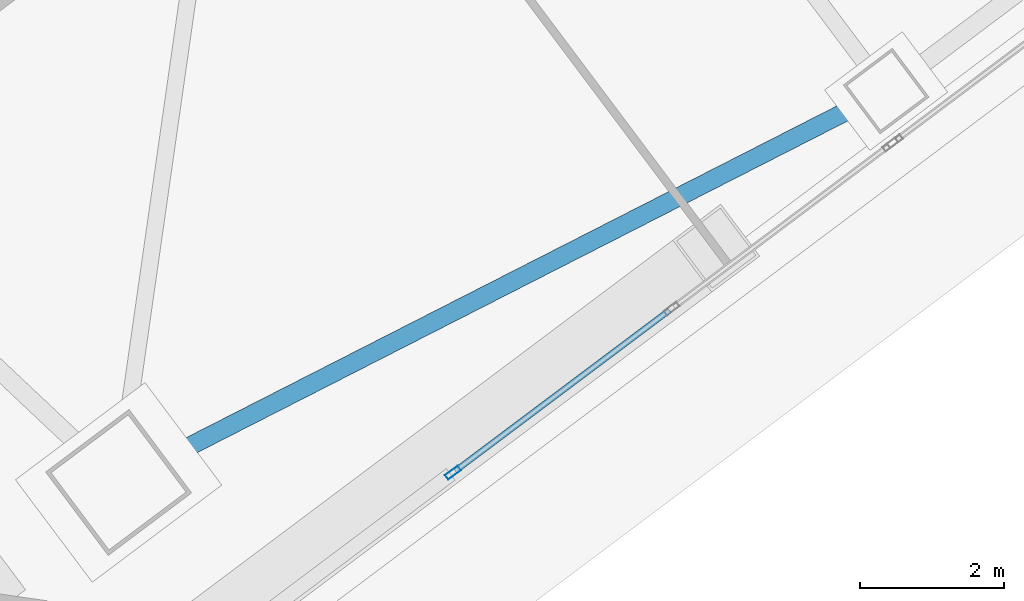
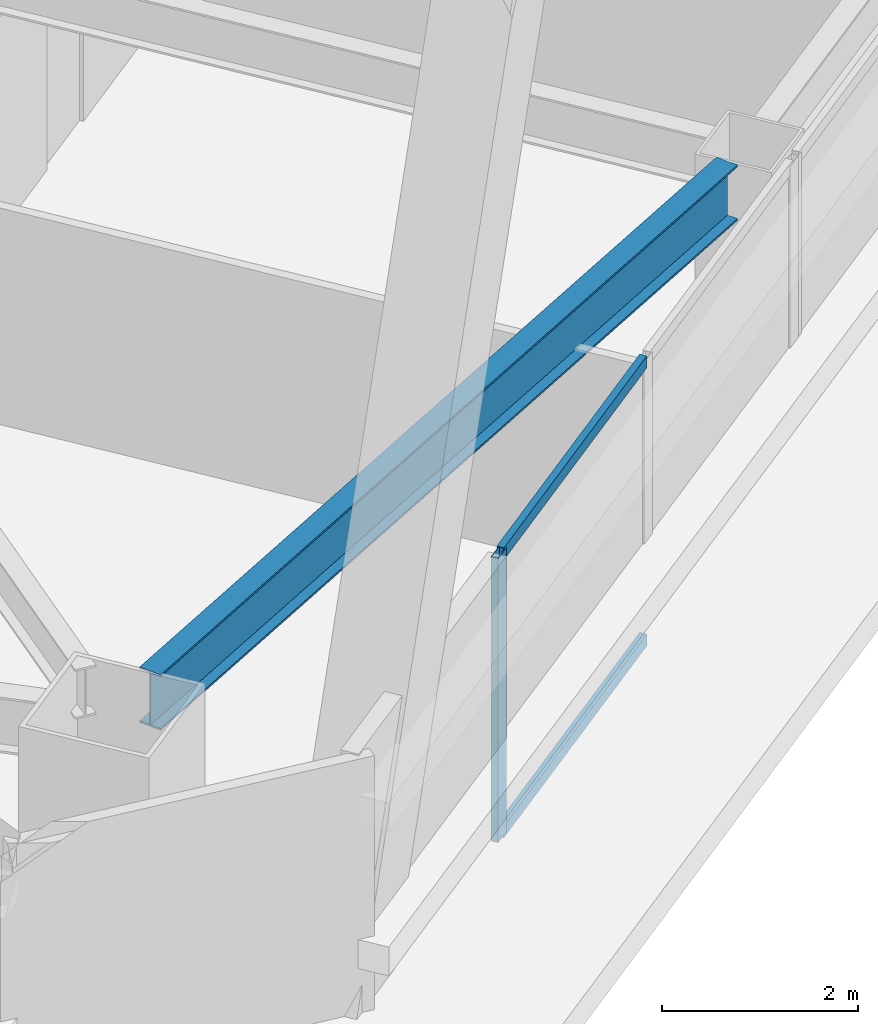
# One storey, part 33 of 67: 3 members, 1 beam, 1 element without a shape of its own.
"""IFC4 building model written with IfcOpenShell, lengths in metres."""

from ifc_helpers import new_model, si_unit, direction, frame, origin, origin_2d, place, context, subcontext, project, spatial, hollow_rectangle, i_section, extrude, material, material_profile, profile_set, type_object, element, aggregate, save


model = new_model("IFC4")

# Units and contexts
model_context = context("Model", 3, precision=1e-05, world=origin(), true_north=direction((0.0, 1.0)))
body_context = subcontext(model_context, "Body", "Model", "MODEL_VIEW")
ifc_project = project(units=[si_unit("LENGTHUNIT", "METRE"), si_unit("AREAUNIT", "SQUARE_METRE"), si_unit("VOLUMEUNIT", "CUBIC_METRE"), si_unit("PLANEANGLEUNIT", "RADIAN"), si_unit("MASSUNIT", "GRAM", prefix="KILO")], contexts=[model_context])

# Site, building, storey
site_placement = place(None, origin())
site = spatial("IfcSite", under=ifc_project, at=site_placement, CompositionType="ELEMENT")
building_placement = place(site_placement, origin())
building = spatial("IfcBuilding", under=site, at=building_placement, Name="Tashvorn Skyway Center", CompositionType="ELEMENT")
storey_placement = place(building_placement, frame((0.0, 0.0, 67.199951171875)))
storey = spatial("IfcBuildingStorey", under=building, at=storey_placement, Name="L17", CompositionType="ELEMENT", Elevation=67.199951171875)

# Beam
ifc_material_1 = material(Name="Steel ASTM A992 Grade 50", Category="steel")
ifc_material_profile_1 = material_profile(ifc_material_1, i_section(OverallWidth=0.256103515625, OverallDepth=0.693115234375, WebThickness=0.014404296875, FlangeThickness=0.023681640625, at=origin_2d()), Name="W27X114")
ifc_profile_set_1 = profile_set([ifc_material_profile_1], Name="Steel ASTM A992 Grade 50")
beam_type = type_object("IfcBeamType", Name="BM-SPANDREL-W27X114", PredefinedType="SPANDREL", material=ifc_profile_set_1)
beam_placement = place(storey_placement, frame((111.201416015625, 8.2470703125, 3.003662109375), z_axis=(0.890894170442, 0.454210938961, 0.0), x_axis=(-0.454210938961, 0.890894170442, 0.0)))
element("IfcBeam", 1, at=beam_placement, inside=storey, type_object=beam_type, Name="Tower 2 L17 Spandrel Beam 01", PredefinedType="SPANDREL", context=body_context, shape_type="SweptSolid", body=[
    extrude(i_section(OverallWidth=0.256103515625, OverallDepth=0.693115234375, WebThickness=0.014404296875, FlangeThickness=0.023681640625, at=origin_2d()), origin(), (0.0, 0.0, 1.0), 10.836669921875),
])

# Curtain wall, members
ifc_material_2 = material(Name="Thermally broken bronze-anodized aluminium 6063-T6", Category="aluminium")
curtain_wall_type = type_object("IfcCurtainWallType", Name="CW-CW-Z2", PredefinedType="NOTDEFINED", material=ifc_material_2)
curtain_wall_placement = place(storey_placement, origin())
curtain_wall = element("IfcCurtainWall", 2, at=curtain_wall_placement, inside=storey, type_object=curtain_wall_type, Name="Tower 2 L17 South Unitised Curtain Wall Glazing Group 3", PredefinedType="NOTDEFINED")
ifc_material_profile_2 = material_profile(ifc_material_2, hollow_rectangle(XDim=0.080078125, YDim=0.219970703125, WallThickness=0.0048828125, at=origin_2d()), Name="ALU-MULL-80x220")
ifc_profile_set_2 = profile_set([ifc_material_profile_2], Name="Thermally broken bronze-anodized aluminium 6063-T6")
member_type_1 = type_object("IfcMemberType", Name="CWM-CW-Z2", PredefinedType="MULLION", material=ifc_profile_set_2)
member_1_placement = place(storey_placement, frame((115.2080078125, 8.055908203125, 0.0), z_axis=(0.0, 0.0, 1.0), x_axis=(0.600000000002, -0.799999999998, 0.0)))
member_1 = element("IfcMember", 3, at=member_1_placement, type_object=member_type_1, Name="CW-Z2 mullion 3", PredefinedType="MULLION", context=body_context, shape_type="SweptSolid", body=[
    extrude(hollow_rectangle(XDim=0.080078125, YDim=0.219970703125, WallThickness=0.0048828125, at=origin_2d()), origin(), (0.0, 0.0, 1.0), 3.550048828125),
])
ifc_material_profile_3 = material_profile(ifc_material_2, hollow_rectangle(XDim=0.080078125, YDim=0.14990234375, WallThickness=0.00439453125, at=origin_2d()), Name="ALU-TRAN-80x150")
ifc_profile_set_3 = profile_set([ifc_material_profile_3], Name="Thermally broken bronze-anodized aluminium 6063-T6")
member_type_2 = type_object("IfcMemberType", Name="CWT-CW-Z2", PredefinedType="USERDEFINED", material=ifc_profile_set_3)
member_2_placement = place(storey_placement, frame((118.216064453125, 10.31201171875, 0.0400390625), z_axis=(-0.80001575065, -0.599978998559, 0.0), x_axis=(0.599978998559, -0.80001575065, 0.0)))
member_2 = element("IfcMember", 4, at=member_2_placement, type_object=member_type_2, Name="CW-Z2 transom 2.1", ObjectType="TRANSOM", PredefinedType="USERDEFINED", context=body_context, shape_type="SweptSolid", body=[
    extrude(hollow_rectangle(XDim=0.080078125, YDim=0.14990234375, WallThickness=0.00439453125, at=origin_2d()), origin(), (0.0, 0.0, 1.0), 3.719970703125),
])
member_3_placement = place(storey_placement, frame((118.216064453125, 10.31201171875, 3.510009765625), z_axis=(-0.80001575065, -0.599978998559, 0.0), x_axis=(0.599978998559, -0.80001575065, 0.0)))
member_3 = element("IfcMember", 5, at=member_3_placement, type_object=member_type_2, Name="CW-Z2 transom 2.2", ObjectType="TRANSOM", PredefinedType="USERDEFINED", context=body_context, shape_type="SweptSolid", body=[
    extrude(hollow_rectangle(XDim=0.080078125, YDim=0.14990234375, WallThickness=0.00439453125, at=origin_2d()), origin(), (0.0, 0.0, 1.0), 3.719970703125),
])
aggregate(curtain_wall, [member_1, member_2, member_3])

save(model, "model.ifc")
